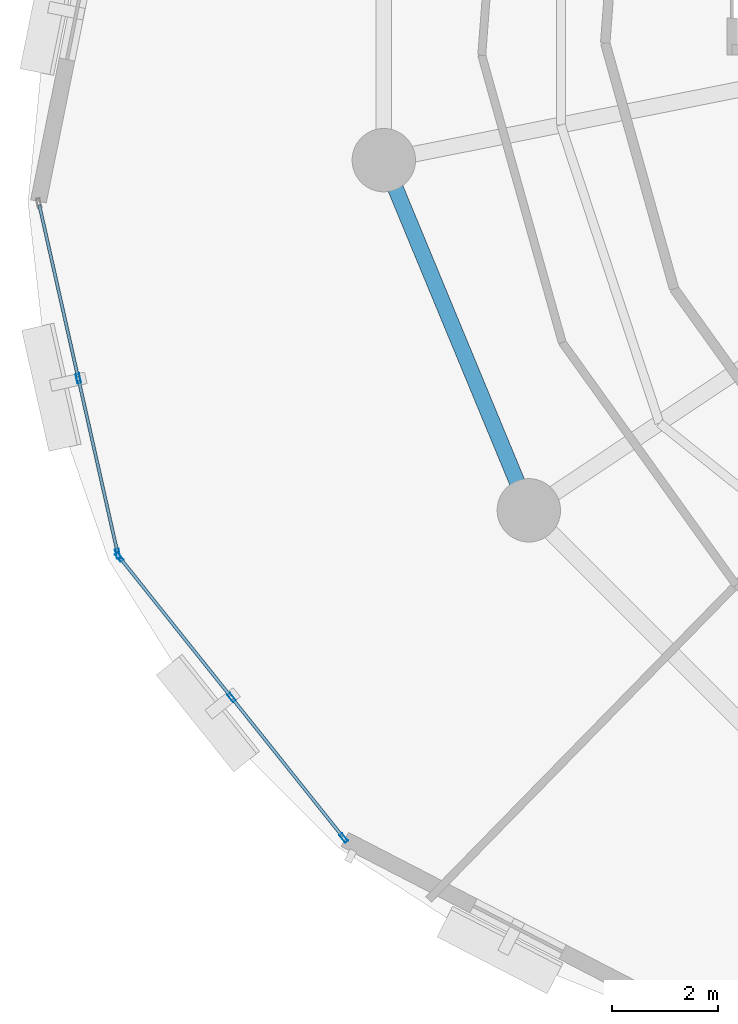
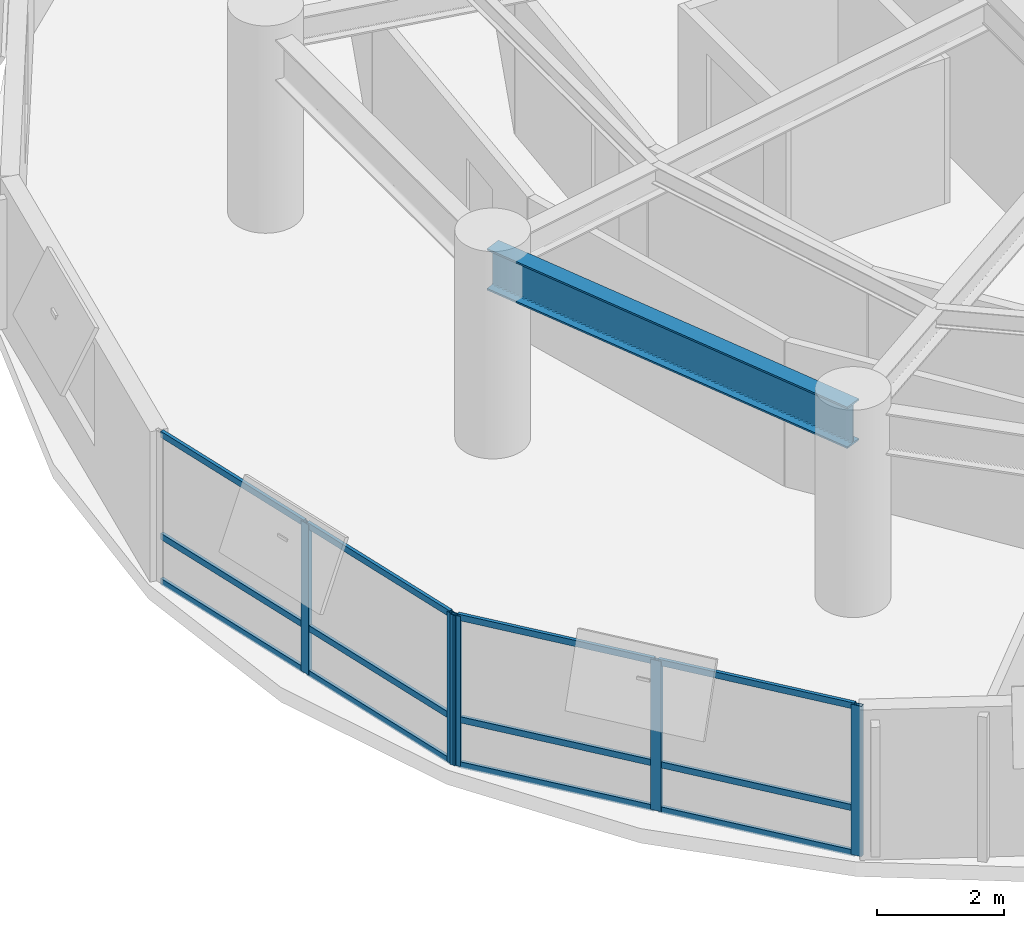
# One storey, part 2 of 15: 17 members, 1 beam, 2 elements without a shape of their own.
"""IFC4 building model written with IfcOpenShell, lengths in metres."""

from ifc_helpers import new_model, si_unit, direction, frame, origin, origin_2d, place, context, subcontext, project, spatial, hollow_rectangle, i_section, extrude, material, layer, layer_set, material_profile, profile_set, type_object, element, aggregate, save


model = new_model("IFC4")

# Units and contexts
model_context = context("Model", 3, precision=1e-05, world=origin(), true_north=direction((0.0, 1.0)))
body_context = subcontext(model_context, "Body", "Model", "MODEL_VIEW")
ifc_project = project(units=[si_unit("LENGTHUNIT", "METRE"), si_unit("AREAUNIT", "SQUARE_METRE"), si_unit("VOLUMEUNIT", "CUBIC_METRE"), si_unit("PLANEANGLEUNIT", "RADIAN"), si_unit("MASSUNIT", "GRAM", prefix="KILO"), si_unit("THERMODYNAMICTEMPERATUREUNIT", "KELVIN"), si_unit("POWERUNIT", "WATT")], contexts=[model_context])

# Site, building, storey
site_placement = place(None, origin())
site = spatial("IfcSite", under=ifc_project, at=site_placement, CompositionType="ELEMENT")
building_placement = place(site_placement, origin())
building = spatial("IfcBuilding", under=site, at=building_placement, Name="Ocrelia Relay Tower", CompositionType="ELEMENT")
storey_placement = place(building_placement, frame((0.0, 0.0, 141.800048828125)))
storey = spatial("IfcBuildingStorey", under=building, at=storey_placement, Name="L33", CompositionType="ELEMENT", Elevation=141.800048828125)

# Beam
ifc_material_1 = material(Name="Steel S355", Category="steel")
ifc_material_profile_1 = material_profile(ifc_material_1, i_section(OverallWidth=0.300048828125, OverallDepth=0.800048828125, WebThickness=0.017578125, FlangeThickness=0.032958984375, FilletRadius=0.030029296875, at=origin_2d()), Name="HEB 800")
ifc_profile_set_1 = profile_set([ifc_material_profile_1], Name="Steel S355")
beam_type = type_object("IfcBeamType", Name="BM-HEB800", PredefinedType="BEAM", material=ifc_profile_set_1)
beam_placement = place(storey_placement, frame((15.95361328125, 22.410400390625, 3.320068359375), z_axis=(0.382673155247, -0.923883789366, 0.0), x_axis=(0.923883789366, 0.382673155247, 0.0)))
element("IfcBeam", 1, at=beam_placement, inside=storey, type_object=beam_type, Name="L33 Perimeter Spandrel Beam S09", PredefinedType="BEAM", context=body_context, shape_type="SweptSolid", body=[
    extrude(i_section(OverallWidth=0.300048828125, OverallDepth=0.800048828125, WebThickness=0.017578125, FlangeThickness=0.032958984375, FilletRadius=0.030029296875, at=origin_2d()), origin(), (0.0, 0.0, 1.0), 7.17919921875),
])

# Curtain wall, members
ifc_material_2 = material(Name="Aluminium and solar-control low-E glass", Category="aluminium")
ifc_layer = layer(ifc_material_2, 0.179931640625, Name="Aluminium and solar-control low-E glass")
ifc_layer_set = layer_set([ifc_layer], Name="Aluminium and solar-control low-E glass")
curtain_wall_type = type_object("IfcCurtainWallType", Name="CW-SYS-Z2-SWIT", PredefinedType="NOTDEFINED", material=ifc_layer_set)
curtain_wall_1_placement = place(storey_placement, origin())
curtain_wall_1 = element("IfcCurtainWall", 2, at=curtain_wall_1_placement, inside=storey, type_object=curtain_wall_type, Name="L33 Elliptical Tower Curtain Wall Bay 09", PredefinedType="NOTDEFINED")
ifc_material_3 = material(Name="Anodised bronze aluminium", Category="aluminium")
ifc_material_profile_2 = material_profile(ifc_material_3, hollow_rectangle(XDim=0.070068359375, YDim=0.179931640625, WallThickness=0.006103515625, at=origin_2d()), Name="CW-MUL-180x70")
ifc_profile_set_2 = profile_set([ifc_material_profile_2], Name="Anodised bronze aluminium")
member_type_1 = type_object("IfcMemberType", Name="CW-SYS-Z2-SWIT-MUL", PredefinedType="MULLION", material=ifc_profile_set_2)
member_1_placement = place(storey_placement, frame((10.167724609375, 18.274169921875, 0.0), z_axis=(0.0, 0.0, 1.0), x_axis=(0.975611079184, 0.219506314656, 0.0)))
member_1 = element("IfcMember", 3, at=member_1_placement, type_object=member_type_1, Name="CW-Z2 mullion 2", PredefinedType="MULLION", context=body_context, shape_type="SweptSolid", body=[
    extrude(hollow_rectangle(XDim=0.070068359375, YDim=0.179931640625, WallThickness=0.006103515625, at=origin_2d()), origin(), (0.0, 0.0, 1.0), 2.89990234375),
])
member_2_placement = place(storey_placement, frame((10.9150390625, 14.95263671875, 0.0), z_axis=(0.0, 0.0, 1.0), x_axis=(0.975611079184, 0.219506314656, 0.0)))
member_2 = element("IfcMember", 4, at=member_2_placement, type_object=member_type_1, Name="CW-Z2 mullion 3", PredefinedType="MULLION", context=body_context, shape_type="SweptSolid", body=[
    extrude(hollow_rectangle(XDim=0.070068359375, YDim=0.179931640625, WallThickness=0.006103515625, at=origin_2d()), origin(), (0.0, 0.0, 1.0), 2.89990234375),
])

curtain_wall_2_placement = place(storey_placement, origin())
curtain_wall_2 = element("IfcCurtainWall", 5, at=curtain_wall_2_placement, inside=storey, type_object=curtain_wall_type, Name="L33 Elliptical Tower Curtain Wall Bay 10", PredefinedType="NOTDEFINED")
member_3_placement = place(storey_placement, frame((10.944580078125, 14.89111328125, 0.0), z_axis=(0.0, 0.0, 1.0), x_axis=(0.781305429449, 0.624148881208, 0.0)))
member_3 = element("IfcMember", 6, at=member_3_placement, type_object=member_type_1, Name="CW-Z2 mullion 1", PredefinedType="MULLION", context=body_context, shape_type="SweptSolid", body=[
    extrude(hollow_rectangle(XDim=0.070068359375, YDim=0.179931640625, WallThickness=0.006103515625, at=origin_2d()), origin(), (0.0, 0.0, 1.0), 2.89990234375),
])
member_4_placement = place(storey_placement, frame((13.069580078125, 12.231201171875, 0.0), z_axis=(0.0, 0.0, 1.0), x_axis=(0.781305429449, 0.624148881208, 0.0)))
member_4 = element("IfcMember", 7, at=member_4_placement, type_object=member_type_1, Name="CW-Z2 mullion 2", PredefinedType="MULLION", context=body_context, shape_type="SweptSolid", body=[
    extrude(hollow_rectangle(XDim=0.070068359375, YDim=0.179931640625, WallThickness=0.006103515625, at=origin_2d()), origin(), (0.0, 0.0, 1.0), 2.89990234375),
])
member_5_placement = place(storey_placement, frame((15.1943359375, 9.571044921875, 0.0), z_axis=(0.0, 0.0, 1.0), x_axis=(0.781305429449, 0.624148881208, 0.0)))
member_5 = element("IfcMember", 8, at=member_5_placement, type_object=member_type_1, Name="CW-Z2 mullion 3", PredefinedType="MULLION", context=body_context, shape_type="SweptSolid", body=[
    extrude(hollow_rectangle(XDim=0.070068359375, YDim=0.179931640625, WallThickness=0.006103515625, at=origin_2d()), origin(), (0.0, 0.0, 1.0), 2.89990234375),
])

# Member
ifc_material_profile_3 = material_profile(ifc_material_3, hollow_rectangle(XDim=0.06005859375, YDim=0.1201171875, WallThickness=0.0048828125, at=origin_2d()), Name="CW-TRN-120x60")
ifc_profile_set_3 = profile_set([ifc_material_profile_3], Name="Anodised bronze aluminium")
member_type_2 = type_object("IfcMemberType", Name="CW-SYS-Z2-SWIT-TRN", PredefinedType="USERDEFINED", material=ifc_profile_set_3)
member_6_placement = place(storey_placement, frame((9.427978515625, 21.5615234375, 0.030029296875), z_axis=(0.219503484032, -0.975611716052, 0.0), x_axis=(0.975611716052, 0.219503484032, 0.0)))
member_6 = element("IfcMember", 9, at=member_6_placement, type_object=member_type_2, Name="CW-Z2 transom 1.1", ObjectType="TRANSOM", PredefinedType="USERDEFINED", context=body_context, shape_type="SweptSolid", body=[
    extrude(hollow_rectangle(XDim=0.06005859375, YDim=0.1201171875, WallThickness=0.0048828125, at=origin_2d()), origin(), (0.0, 0.0, 1.0), 3.33447265625),
])

member_7_placement = place(storey_placement, frame((9.427978515625, 21.5615234375, 0.89990234375), z_axis=(0.219503484032, -0.975611716052, 0.0), x_axis=(0.975611716052, 0.219503484032, 0.0)))
member_7 = element("IfcMember", 10, at=member_7_placement, type_object=member_type_2, Name="CW-Z2 transom 1.2", ObjectType="TRANSOM", PredefinedType="USERDEFINED", context=body_context, shape_type="SweptSolid", body=[
    extrude(hollow_rectangle(XDim=0.06005859375, YDim=0.1201171875, WallThickness=0.0048828125, at=origin_2d()), origin(), (0.0, 0.0, 1.0), 3.33447265625),
])

member_8_placement = place(storey_placement, frame((9.427978515625, 21.5615234375, 2.869873046875), z_axis=(0.219503484032, -0.975611716052, 0.0), x_axis=(0.975611716052, 0.219503484032, 0.0)))
member_8 = element("IfcMember", 11, at=member_8_placement, type_object=member_type_2, Name="CW-Z2 transom 1.3", ObjectType="TRANSOM", PredefinedType="USERDEFINED", context=body_context, shape_type="SweptSolid", body=[
    extrude(hollow_rectangle(XDim=0.06005859375, YDim=0.1201171875, WallThickness=0.0048828125, at=origin_2d()), origin(), (0.0, 0.0, 1.0), 3.33447265625),
])

member_9_placement = place(storey_placement, frame((10.17529296875, 18.239990234375, 0.030029296875), z_axis=(0.219503484032, -0.975611716052, 0.0), x_axis=(0.975611716052, 0.219503484032, 0.0)))
member_9 = element("IfcMember", 12, at=member_9_placement, type_object=member_type_2, Name="CW-Z2 transom 2.1", ObjectType="TRANSOM", PredefinedType="USERDEFINED", context=body_context, shape_type="SweptSolid", body=[
    extrude(hollow_rectangle(XDim=0.06005859375, YDim=0.1201171875, WallThickness=0.0048828125, at=origin_2d()), origin(), (0.0, 0.0, 1.0), 3.33447265625),
])

member_10_placement = place(storey_placement, frame((10.17529296875, 18.239990234375, 0.89990234375), z_axis=(0.219503484032, -0.975611716052, 0.0), x_axis=(0.975611716052, 0.219503484032, 0.0)))
member_10 = element("IfcMember", 13, at=member_10_placement, type_object=member_type_2, Name="CW-Z2 transom 2.2", ObjectType="TRANSOM", PredefinedType="USERDEFINED", context=body_context, shape_type="SweptSolid", body=[
    extrude(hollow_rectangle(XDim=0.06005859375, YDim=0.1201171875, WallThickness=0.0048828125, at=origin_2d()), origin(), (0.0, 0.0, 1.0), 3.33447265625),
])

member_11_placement = place(storey_placement, frame((10.17529296875, 18.239990234375, 2.869873046875), z_axis=(0.219503484032, -0.975611716052, 0.0), x_axis=(0.975611716052, 0.219503484032, 0.0)))
member_11 = element("IfcMember", 14, at=member_11_placement, type_object=member_type_2, Name="CW-Z2 transom 2.3", ObjectType="TRANSOM", PredefinedType="USERDEFINED", context=body_context, shape_type="SweptSolid", body=[
    extrude(hollow_rectangle(XDim=0.06005859375, YDim=0.1201171875, WallThickness=0.0048828125, at=origin_2d()), origin(), (0.0, 0.0, 1.0), 3.33447265625),
])

aggregate(curtain_wall_1, [member_1, member_2, member_6, member_7, member_8, member_9, member_10, member_11])

member_12_placement = place(storey_placement, frame((10.96630859375, 14.86376953125, 0.030029296875), z_axis=(0.624168105907, -0.781290071336, 0.0), x_axis=(0.781290071336, 0.624168105907, 0.0)))
member_12 = element("IfcMember", 15, at=member_12_placement, type_object=member_type_2, Name="CW-Z2 transom 1.1", ObjectType="TRANSOM", PredefinedType="USERDEFINED", context=body_context, shape_type="SweptSolid", body=[
    extrude(hollow_rectangle(XDim=0.06005859375, YDim=0.1201171875, WallThickness=0.0048828125, at=origin_2d()), origin(), (0.0, 0.0, 1.0), 3.33447265625),
])

member_13_placement = place(storey_placement, frame((10.96630859375, 14.86376953125, 0.89990234375), z_axis=(0.624168105907, -0.781290071336, 0.0), x_axis=(0.781290071336, 0.624168105907, 0.0)))
member_13 = element("IfcMember", 16, at=member_13_placement, type_object=member_type_2, Name="CW-Z2 transom 1.2", ObjectType="TRANSOM", PredefinedType="USERDEFINED", context=body_context, shape_type="SweptSolid", body=[
    extrude(hollow_rectangle(XDim=0.06005859375, YDim=0.1201171875, WallThickness=0.0048828125, at=origin_2d()), origin(), (0.0, 0.0, 1.0), 3.33447265625),
])

member_14_placement = place(storey_placement, frame((10.96630859375, 14.86376953125, 2.869873046875), z_axis=(0.624168105907, -0.781290071336, 0.0), x_axis=(0.781290071336, 0.624168105907, 0.0)))
member_14 = element("IfcMember", 17, at=member_14_placement, type_object=member_type_2, Name="CW-Z2 transom 1.3", ObjectType="TRANSOM", PredefinedType="USERDEFINED", context=body_context, shape_type="SweptSolid", body=[
    extrude(hollow_rectangle(XDim=0.06005859375, YDim=0.1201171875, WallThickness=0.0048828125, at=origin_2d()), origin(), (0.0, 0.0, 1.0), 3.33447265625),
])

member_15_placement = place(storey_placement, frame((13.09130859375, 12.203857421875, 0.030029296875), z_axis=(0.624132402954, -0.781318592882, 0.0), x_axis=(0.781318592882, 0.624132402954, 0.0)))
member_15 = element("IfcMember", 18, at=member_15_placement, type_object=member_type_2, Name="CW-Z2 transom 2.1", ObjectType="TRANSOM", PredefinedType="USERDEFINED", context=body_context, shape_type="SweptSolid", body=[
    extrude(hollow_rectangle(XDim=0.06005859375, YDim=0.1201171875, WallThickness=0.0048828125, at=origin_2d()), origin(), (0.0, 0.0, 1.0), 3.334716796875),
])

member_16_placement = place(storey_placement, frame((13.09130859375, 12.203857421875, 0.89990234375), z_axis=(0.624132402954, -0.781318592882, 0.0), x_axis=(0.781318592882, 0.624132402954, 0.0)))
member_16 = element("IfcMember", 19, at=member_16_placement, type_object=member_type_2, Name="CW-Z2 transom 2.2", ObjectType="TRANSOM", PredefinedType="USERDEFINED", context=body_context, shape_type="SweptSolid", body=[
    extrude(hollow_rectangle(XDim=0.06005859375, YDim=0.1201171875, WallThickness=0.0048828125, at=origin_2d()), origin(), (0.0, 0.0, 1.0), 3.334716796875),
])

member_17_placement = place(storey_placement, frame((13.09130859375, 12.203857421875, 2.869873046875), z_axis=(0.624132402954, -0.781318592882, 0.0), x_axis=(0.781318592882, 0.624132402954, 0.0)))
member_17 = element("IfcMember", 20, at=member_17_placement, type_object=member_type_2, Name="CW-Z2 transom 2.3", ObjectType="TRANSOM", PredefinedType="USERDEFINED", context=body_context, shape_type="SweptSolid", body=[
    extrude(hollow_rectangle(XDim=0.06005859375, YDim=0.1201171875, WallThickness=0.0048828125, at=origin_2d()), origin(), (0.0, 0.0, 1.0), 3.334716796875),
])

aggregate(curtain_wall_2, [member_3, member_4, member_5, member_12, member_13, member_14, member_15, member_16, member_17])

save(model, "model.ifc")
